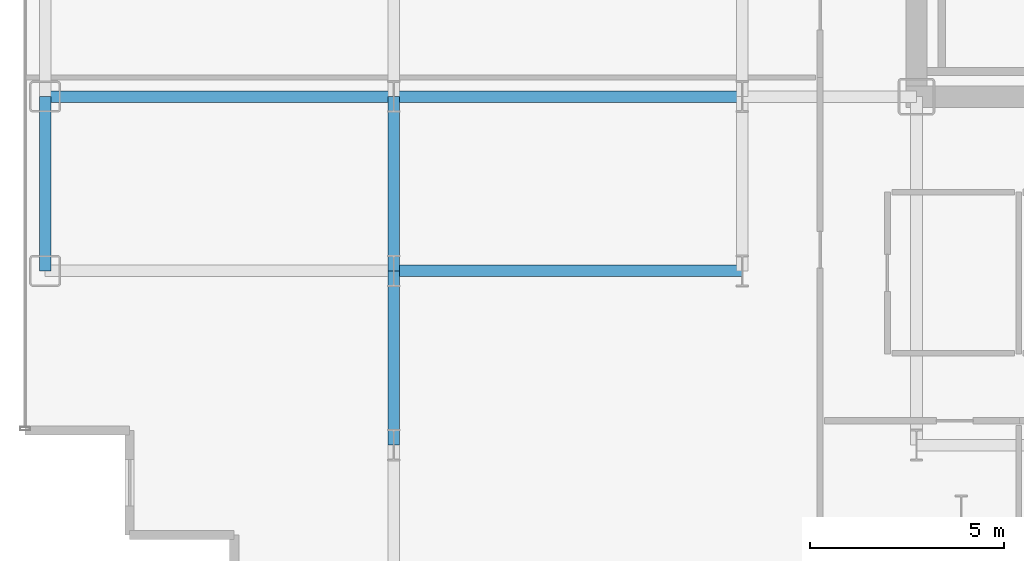
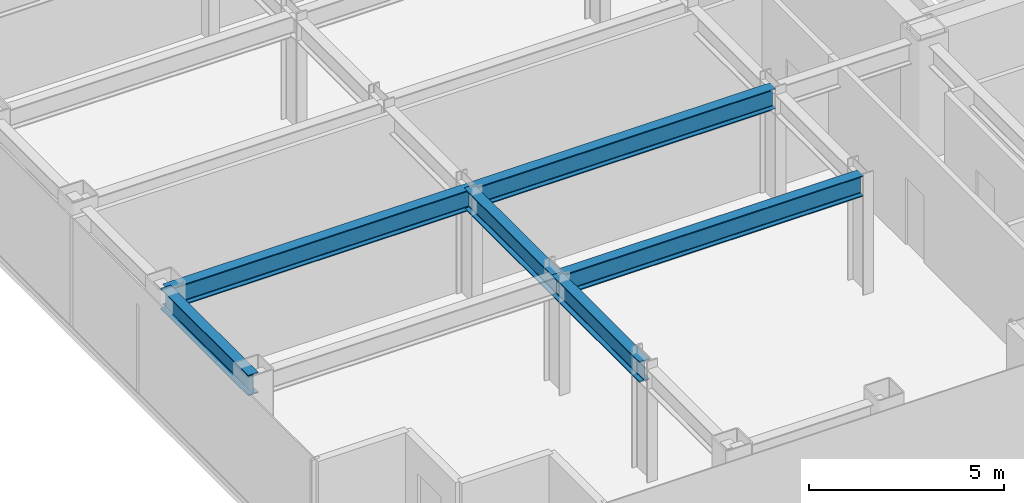
# One storey, part 4 of 23: 6 beams.
"""IFC4 building model written with IfcOpenShell, lengths in metres."""

from ifc_helpers import new_model, si_unit, direction, frame, origin, origin_2d, place, context, subcontext, project, spatial, i_section, extrude, source, transform, mapped, material, material_profile, profile_set, type_object, element, save


model = new_model("IFC4")

# Units and contexts
model_context = context("Model", 3, precision=1e-05, world=origin(), true_north=direction((0.0, 1.0)))
body_context = subcontext(model_context, "Body", "Model", "MODEL_VIEW")
ifc_project = project(units=[si_unit("LENGTHUNIT", "METRE"), si_unit("AREAUNIT", "SQUARE_METRE"), si_unit("VOLUMEUNIT", "CUBIC_METRE"), si_unit("PLANEANGLEUNIT", "RADIAN"), si_unit("MASSUNIT", "GRAM", prefix="KILO")], contexts=[model_context])

# Site, building, storey
site_placement = place(None, origin())
site = spatial("IfcSite", under=ifc_project, at=site_placement, CompositionType="ELEMENT")
building_placement = place(site_placement, origin())
building = spatial("IfcBuilding", under=site, at=building_placement, Name="Nefas-Gora Pilgrimage Tower", CompositionType="ELEMENT")
storey_placement = place(building_placement, frame((0.0, 0.0, 167.800048828125)))
storey = spatial("IfcBuildingStorey", under=building, at=storey_placement, Name="L41", CompositionType="ELEMENT", Elevation=167.800048828125)

# Beams
ifc_material = material(Name="Steel S355", Category="steel")
ifc_material_profile_1 = material_profile(ifc_material, i_section(OverallWidth=0.300048828125, OverallDepth=0.64990234375, WebThickness=0.01611328125, FlangeThickness=0.031005859375, FilletRadius=0.027099609375, at=origin_2d()), Name="HEB 650")
ifc_profile_set_1 = profile_set([ifc_material_profile_1], Name="Steel S355")
beam_type_1 = type_object("IfcBeamType", Name="BM-SPN-HEB500", PredefinedType="SPANDREL", material=ifc_profile_set_1)
shared_shape_1 = source(origin(), body_context, "Body", "SweptSolid", [
    extrude(i_section(OverallWidth=0.300048828125, OverallDepth=0.64990234375, WebThickness=0.01611328125, FlangeThickness=0.031005859375, FilletRadius=0.027099609375, at=origin_2d()), origin(), (0.0, 0.0, 1.0), 4.5),
])
beam_placement = place(storey_placement, frame((-33.75, -13.5, 3.224853515625), z_axis=(0.0, 1.0, 0.0), x_axis=(-1.0, 0.0, 0.0)))
element("IfcBeam", 1, at=beam_placement, inside=storey, type_object=beam_type_1, Name="L41 SP-02 beam", PredefinedType="SPANDREL", context=body_context, shape_type="MappedRepresentation", body=[
    mapped(shared_shape_1, transform((0.0, 0.0, 0.0), x_axis=(1.0, 0.0, 0.0), y_axis=(0.0, 1.0, 0.0), z_axis=(0.0, 0.0, 1.0), scale=1.0)),
])
ifc_material_profile_2 = material_profile(ifc_material, i_section(OverallWidth=0.300048828125, OverallDepth=0.64990234375, WebThickness=0.01611328125, FlangeThickness=0.031005859375, FilletRadius=0.027099609375, at=origin_2d()), Name="HEB 650")
ifc_profile_set_2 = profile_set([ifc_material_profile_2], Name="Steel S355")
beam_type_2 = type_object("IfcBeamType", Name="BM-GIR-HEB650", PredefinedType="BEAM", material=ifc_profile_set_2)
shared_shape_2 = source(origin(), body_context, "Body", "SweptSolid", [
    extrude(i_section(OverallWidth=0.300048828125, OverallDepth=0.64990234375, WebThickness=0.01611328125, FlangeThickness=0.031005859375, FilletRadius=0.027099609375, at=origin_2d()), origin(), (0.0, 0.0, 1.0), 9.0),
])
for number, where, z_axis, x_axis, name in (
    (2, (-33.75, -9.0, 3.224853515625), (1.0, 0.0, 0.0), (0.0, 1.0, 0.0), "L41 G-03 beam"),
    (3, (-24.75, -13.5, 3.224853515625), (1.0, 0.0, 0.0), (0.0, 1.0, 0.0), "L41 G-03 beam"),
    (4, (-24.75, -9.0, 3.224853515625), (1.0, 0.0, 0.0), (0.0, 1.0, 0.0), "L41 G-03 beam"),
):
    element("IfcBeam", number, at=place(storey_placement, frame(where, z_axis=z_axis, x_axis=x_axis)), inside=storey, type_object=beam_type_2, Name=name, PredefinedType="BEAM", context=body_context, shape_type="MappedRepresentation", body=[
        mapped(shared_shape_2, transform((0.0, 0.0, 0.0), x_axis=(1.0, 0.0, 0.0), y_axis=(0.0, 1.0, 0.0), z_axis=(0.0, 0.0, 1.0), scale=1.0)),
    ])
shared_shape_3 = source(origin(), body_context, "Body", "SweptSolid", [
    extrude(i_section(OverallWidth=0.300048828125, OverallDepth=0.64990234375, WebThickness=0.01611328125, FlangeThickness=0.031005859375, FilletRadius=0.027099609375, at=origin_2d()), origin(), (0.0, 0.0, 1.0), 4.5),
])
for number, where, z_axis, x_axis, name in (
    (5, (-24.75, -18.0, 3.224853515625), (0.0, 1.0, 0.0), (-1.0, 0.0, 0.0), "L41 G-03 beam"),
    (6, (-24.75, -13.5, 3.224853515625), (0.0, 1.0, 0.0), (-1.0, 0.0, 0.0), "L41 G-03 beam"),
):
    element("IfcBeam", number, at=place(storey_placement, frame(where, z_axis=z_axis, x_axis=x_axis)), inside=storey, type_object=beam_type_2, Name=name, PredefinedType="BEAM", context=body_context, shape_type="MappedRepresentation", body=[
        mapped(shared_shape_3, transform((0.0, 0.0, 0.0), x_axis=(1.0, 0.0, 0.0), y_axis=(0.0, 1.0, 0.0), z_axis=(0.0, 0.0, 1.0), scale=1.0)),
    ])

save(model, "model.ifc")
